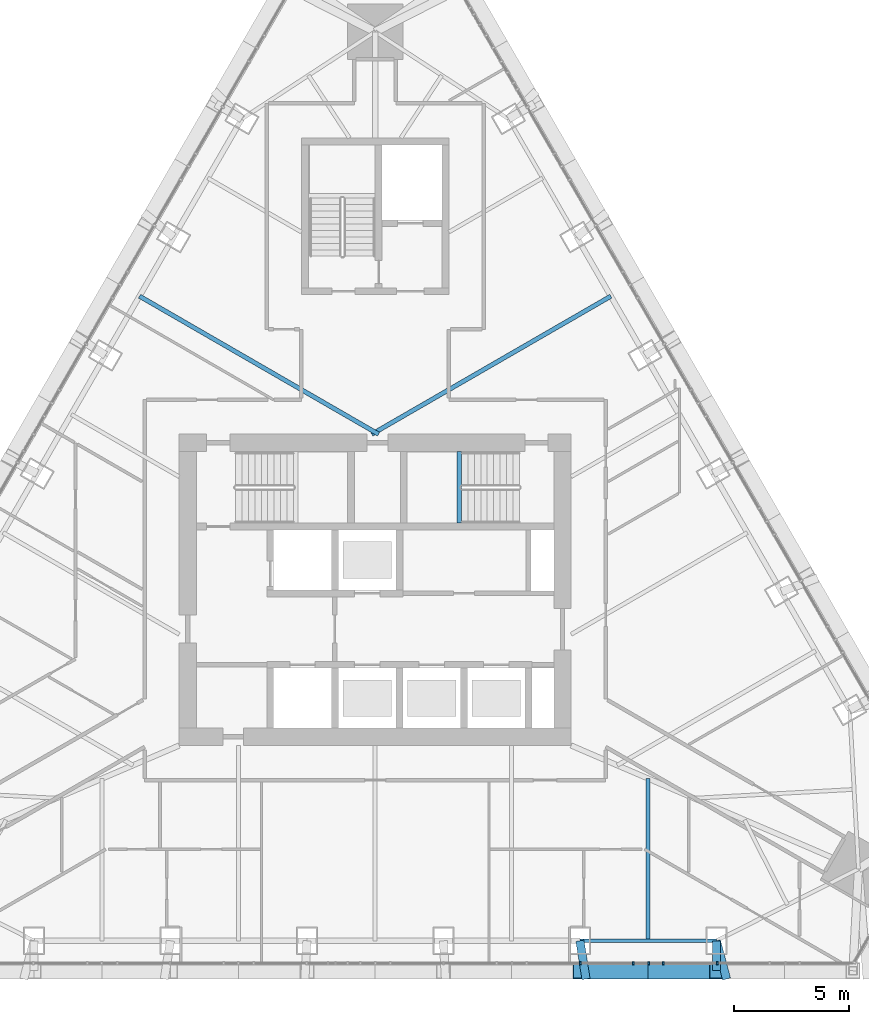
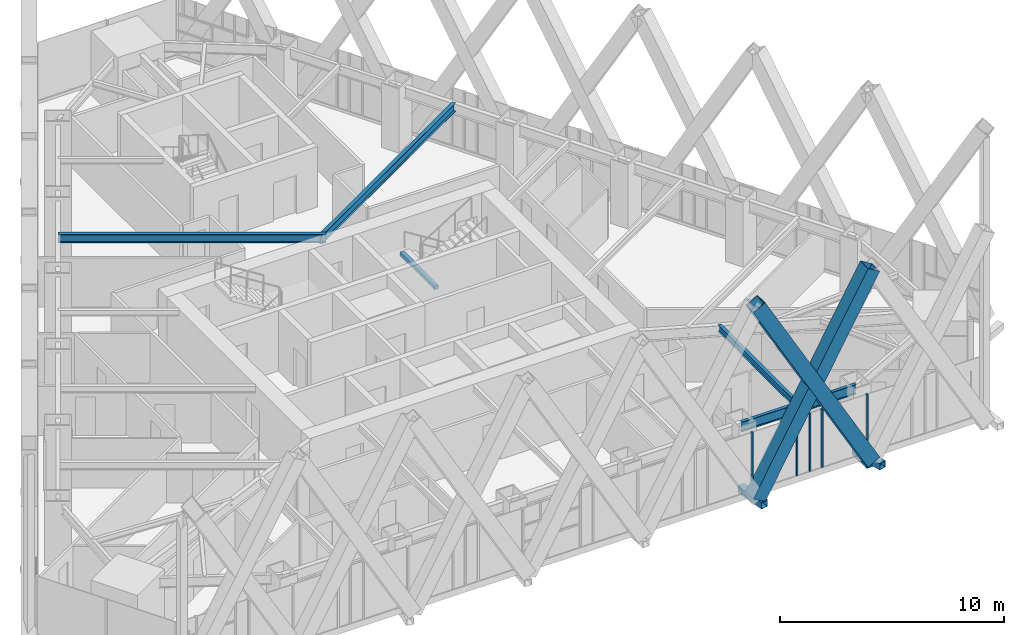
# One storey, part 6 of 23: 10 members, 5 beams, 1 element without a shape of its own.
"""IFC4 building model written with IfcOpenShell, lengths in metres."""

from ifc_helpers import new_model, si_unit, direction, frame, origin, origin_2d, place, context, subcontext, project, spatial, rectangle, hollow_rectangle, i_section, extrude, material, layer, layer_set, material_profile, profile_set, type_object, element, aggregate, save


model = new_model("IFC4")

# Units and contexts
model_context = context("Model", 3, precision=1e-05, world=origin(), true_north=direction((0.0, 1.0)))
body_context = subcontext(model_context, "Body", "Model", "MODEL_VIEW")
ifc_project = project(units=[si_unit("LENGTHUNIT", "METRE"), si_unit("AREAUNIT", "SQUARE_METRE"), si_unit("VOLUMEUNIT", "CUBIC_METRE"), si_unit("PLANEANGLEUNIT", "RADIAN"), si_unit("MASSUNIT", "GRAM", prefix="KILO")], contexts=[model_context])

# Site, building, storey
site_placement = place(None, origin())
site = spatial("IfcSite", under=ifc_project, at=site_placement, CompositionType="ELEMENT")
building_placement = place(site_placement, origin())
building = spatial("IfcBuilding", under=site, at=building_placement, Name="Firuza Gate Tower and Library", CompositionType="ELEMENT")
storey_placement = place(building_placement, frame((0.0, 0.0, 312.60009765625)))
storey = spatial("IfcBuildingStorey", under=building, at=storey_placement, Name="L76", CompositionType="ELEMENT", Elevation=312.60009765625)

# Members
ifc_material_1 = material(Name="Steel S355", Category="steel")
ifc_material_profile_1 = material_profile(ifc_material_1, hollow_rectangle(XDim=0.699951171875, YDim=0.699951171875, WallThickness=0.030029296875, at=origin_2d()))
ifc_profile_set_1 = profile_set([ifc_material_profile_1], Name="Steel S355")
member_type_1 = type_object("IfcMemberType", Name="BU700x700x30 Lattice brace", PredefinedType="BRACE", material=ifc_profile_set_1)
for number, where, z_axis, x_axis, name in (
    (1, (83.8798828125, 58.48046875, 0.0), (0.491137981379, 0.0, 0.871081789069), (0.0, 1.0, 0.0), "Lattice brace S 20.6R"),
    (2, (89.800048828125, 58.48046875, 0.0), (-0.491137981379, 0.0, 0.871081789069), (0.0, -1.0, 0.0), "Lattice brace S 20.6L"),
):
    element("IfcMember", number, at=place(storey_placement, frame(where, z_axis=z_axis, x_axis=x_axis)), inside=storey, type_object=member_type_1, Name=name, PredefinedType="BRACE", context=body_context, shape_type="SweptSolid", body=[
        extrude(hollow_rectangle(XDim=0.699951171875, YDim=0.699951171875, WallThickness=0.030029296875, at=origin_2d()), origin(), (0.0, 0.0, 1.0), 12.053955078125),
    ])

# Curtain wall, members
ifc_material_2 = material(Name="Aluminium 6063-T6", Category="aluminium")
ifc_layer = layer(ifc_material_2, 0.14990234375)
ifc_layer_set = layer_set([ifc_layer], Name="Unitised curtain wall, residences")
curtain_wall_type = type_object("IfcCurtainWallType", Name="Unitised curtain wall, residences", PredefinedType="NOTDEFINED", material=ifc_layer_set)
curtain_wall_placement = place(storey_placement, origin())
curtain_wall = element("IfcCurtainWall", 3, at=curtain_wall_placement, inside=storey, type_object=curtain_wall_type, Name="CW3 L76 S face", PredefinedType="NOTDEFINED")
ifc_material_3 = material(Name="Aluminium 6063-T6", Category="aluminium")
ifc_material_profile_2 = material_profile(ifc_material_3, rectangle(XDim=0.14990234375, YDim=0.080078125, at=origin_2d()))
ifc_profile_set_2 = profile_set([ifc_material_profile_2], Name="Aluminium 6063-T6")
member_type_2 = type_object("IfcMemberType", Name="Curtain wall mullion 80x150", PredefinedType="MULLION", material=ifc_profile_set_2)
member_1_placement = place(storey_placement, frame((83.8984375, 58.805419921875, 0.14990234375), z_axis=(0.0, 0.0, 1.0), x_axis=(0.0, 1.0, 0.0)))
member_1 = element("IfcMember", 4, at=member_1_placement, type_object=member_type_2, Name="Mullion", PredefinedType="MULLION", context=body_context, shape_type="SweptSolid", body=[
    extrude(rectangle(XDim=0.14990234375, YDim=0.080078125, at=origin_2d()), origin(), (0.0, 0.0, 1.0), 3.14990234375),
])
member_2_placement = place(storey_placement, frame((86.86474609375, 58.805419921875, 0.14990234375), z_axis=(0.0, 0.0, 1.0), x_axis=(0.0, 1.0, 0.0)))
member_2 = element("IfcMember", 5, at=member_2_placement, type_object=member_type_2, Name="Mullion", PredefinedType="MULLION", context=body_context, shape_type="SweptSolid", body=[
    extrude(rectangle(XDim=0.14990234375, YDim=0.080078125, at=origin_2d()), origin(), (0.0, 0.0, 1.0), 3.14990234375),
])
member_3_placement = place(storey_placement, frame((89.830810546875, 58.805419921875, 0.14990234375), z_axis=(0.0, 0.0, 1.0), x_axis=(0.0, 1.0, 0.0)))
member_3 = element("IfcMember", 6, at=member_3_placement, type_object=member_type_2, Name="Mullion", PredefinedType="MULLION", context=body_context, shape_type="SweptSolid", body=[
    extrude(rectangle(XDim=0.14990234375, YDim=0.080078125, at=origin_2d()), origin(), (0.0, 0.0, 1.0), 3.14990234375),
])
member_4_placement = place(storey_placement, frame((86.187255859375, 58.805419921875, 0.14990234375), z_axis=(0.0, 0.0, 1.0), x_axis=(0.0, 1.0, 0.0)))
member_4 = element("IfcMember", 7, at=member_4_placement, type_object=member_type_2, Name="Mullion", PredefinedType="MULLION", context=body_context, shape_type="SweptSolid", body=[
    extrude(rectangle(XDim=0.14990234375, YDim=0.080078125, at=origin_2d()), origin(), (0.0, 0.0, 1.0), 3.14990234375),
])
member_5_placement = place(storey_placement, frame((87.49267578125, 58.805419921875, 0.14990234375), z_axis=(0.0, 0.0, 1.0), x_axis=(0.0, 1.0, 0.0)))
member_5 = element("IfcMember", 8, at=member_5_placement, type_object=member_type_2, Name="Mullion", PredefinedType="MULLION", context=body_context, shape_type="SweptSolid", body=[
    extrude(rectangle(XDim=0.14990234375, YDim=0.080078125, at=origin_2d()), origin(), (0.0, 0.0, 1.0), 3.14990234375),
])
aggregate(curtain_wall, [member_1, member_2, member_3, member_4, member_5])

# Members
ifc_material_4 = material(Name="Steel S355", Category="steel")
ifc_material_profile_3 = material_profile(ifc_material_4, hollow_rectangle(XDim=0.355712890625, YDim=0.355712890625, WallThickness=0.014892578125, at=origin_2d()))
ifc_profile_set_3 = profile_set([ifc_material_profile_3], Name="Steel S355")
member_type_3 = type_object("IfcMemberType", Name="HSS356x356x16 Lattice node tie", PredefinedType="BRACE", material=ifc_profile_set_3)
member_6_placement = place(storey_placement, frame((83.8798828125, 59.7802734375, -0.320068359375), z_axis=(0.157570185735, -0.987507790636, 0.0), x_axis=(0.987507790636, 0.157570185735, 0.0)))
element("IfcMember", 9, at=member_6_placement, inside=storey, type_object=member_type_3, Name="Lattice node tie S L76 548", PredefinedType="BRACE", context=body_context, shape_type="SweptSolid", body=[
    extrude(hollow_rectangle(XDim=0.355712890625, YDim=0.355712890625, WallThickness=0.014892578125, at=origin_2d()), origin(), (0.0, 0.0, 1.0), 1.676513671875),
])
member_7_placement = place(storey_placement, frame((89.800048828125, 59.7802734375, -0.320068359375), z_axis=(0.25682869904, -0.966456941281, 0.0), x_axis=(0.966456941281, 0.25682869904, 0.0)))
element("IfcMember", 10, at=member_7_placement, inside=storey, type_object=member_type_3, Name="Lattice node tie S L76 549", PredefinedType="BRACE", context=body_context, shape_type="SweptSolid", body=[
    extrude(hollow_rectangle(XDim=0.355712890625, YDim=0.355712890625, WallThickness=0.014892578125, at=origin_2d()), origin(), (0.0, 0.0, 1.0), 1.712890625),
])
member_8_placement = place(storey_placement, frame((89.800048828125, 59.7802734375, -0.320068359375), z_axis=(0.0, -1.0, 0.0), x_axis=(1.0, 0.0, 0.0)))
element("IfcMember", 11, at=member_8_placement, inside=storey, type_object=member_type_3, Name="Lattice node tie S L76 550", PredefinedType="BRACE", context=body_context, shape_type="SweptSolid", body=[
    extrude(hollow_rectangle(XDim=0.355712890625, YDim=0.355712890625, WallThickness=0.014892578125, at=origin_2d()), origin(), (0.0, 0.0, 1.0), 1.2998046875),
])

# Beams
ifc_material_5 = material(Name="Concrete C35/45", Category="concrete")
ifc_material_profile_4 = material_profile(ifc_material_5, rectangle(XDim=0.199951171875, YDim=0.199951171875, at=origin_2d()))
ifc_profile_set_4 = profile_set([ifc_material_profile_4], Name="Concrete C35/45")
beam_type_1 = type_object("IfcBeamType", Name="Stair landing bearer 200x200", PredefinedType="BEAM", material=ifc_profile_set_4)
beam_1_placement = place(storey_placement, frame((78.639892578125, 81.0, 1.449951171875), z_axis=(0.0, -1.0, 0.0), x_axis=(1.0, 0.0, 0.0)))
element("IfcBeam", 12, at=beam_1_placement, inside=storey, type_object=beam_type_1, Name="Landing bearer L76 stair 2", PredefinedType="BEAM", context=body_context, shape_type="SweptSolid", body=[
    extrude(rectangle(XDim=0.199951171875, YDim=0.199951171875, at=origin_2d()), origin(), (0.0, 0.0, 1.0), 3.10009765625),
])
ifc_material_6 = material(Name="Steel S355", Category="steel")
ifc_material_profile_5 = material_profile(ifc_material_6, i_section(OverallWidth=0.1708984375, OverallDepth=0.35498046875, WebThickness=0.007080078125, FlangeThickness=0.01171875, at=origin_2d()))
ifc_profile_set_5 = profile_set([ifc_material_profile_5], Name="Steel S355")
beam_type_2 = type_object("IfcBeamType", Name="W360x51 Floor beam", PredefinedType="JOIST", material=ifc_profile_set_5)
beam_2_placement = place(storey_placement, frame((86.840087890625, 59.7802734375, 3.122314453125), z_axis=(0.0, 1.0, 0.0), x_axis=(-1.0, 0.0, 0.0)))
element("IfcBeam", 13, at=beam_2_placement, inside=storey, type_object=beam_type_2, Name="Floor beam L76 s24", PredefinedType="JOIST", context=body_context, shape_type="SweptSolid", body=[
    extrude(i_section(OverallWidth=0.1708984375, OverallDepth=0.35498046875, WebThickness=0.007080078125, FlangeThickness=0.01171875, at=origin_2d()), origin(), (0.0, 0.0, 1.0), 7.03515625),
])
ifc_material_7 = material(Name="Steel S355", Category="steel")
ifc_material_profile_6 = material_profile(ifc_material_7, i_section(OverallWidth=0.18994140625, OverallDepth=0.45703125, WebThickness=0.009033203125, FlangeThickness=0.014404296875, at=origin_2d()))
ifc_profile_set_6 = profile_set([ifc_material_profile_6], Name="Steel S355")
beam_type_3 = type_object("IfcBeamType", Name="W460x74 Floor beam", PredefinedType="JOIST", material=ifc_profile_set_6)
for number, where, z_axis, x_axis, name in (
    (14, (85.220458984375, 87.736572265625, 3.0712890625), (-0.866027351828, -0.499996625875, 0.0), (0.499996625875, -0.866027351828, 0.0), "Floor beam L76 s53"),
    (15, (64.779541015625, 87.736572265625, 3.0712890625), (0.866027351828, -0.499996625875, 0.0), (0.499996625875, 0.866027351828, 0.0), "Floor beam L76 s81"),
):
    element("IfcBeam", number, at=place(storey_placement, frame(where, z_axis=z_axis, x_axis=x_axis)), inside=storey, type_object=beam_type_3, Name=name, PredefinedType="JOIST", context=body_context, shape_type="SweptSolid", body=[
        extrude(i_section(OverallWidth=0.18994140625, OverallDepth=0.45703125, WebThickness=0.009033203125, FlangeThickness=0.014404296875, at=origin_2d()), origin(), (0.0, 0.0, 1.0), 11.97314453125),
    ])
ifc_material_8 = material(Name="Steel S355", Category="steel")
ifc_material_profile_7 = material_profile(ifc_material_8, i_section(OverallWidth=0.166015625, OverallDepth=0.534912109375, WebThickness=0.01025390625, FlangeThickness=0.0166015625, at=origin_2d()))
ifc_profile_set_7 = profile_set([ifc_material_profile_7], Name="Steel S355")
beam_type_4 = type_object("IfcBeamType", Name="W530x85 Edge beam", PredefinedType="SPANDREL", material=ifc_profile_set_7)
beam_3_placement = place(storey_placement, frame((83.8798828125, 59.7802734375, 3.032470703125), z_axis=(1.0, 0.0, 0.0), x_axis=(0.0, 1.0, 0.0)))
element("IfcBeam", 16, at=beam_3_placement, inside=storey, type_object=beam_type_4, Name="Edge beam L76 e24", PredefinedType="SPANDREL", context=body_context, shape_type="SweptSolid", body=[
    extrude(i_section(OverallWidth=0.166015625, OverallDepth=0.534912109375, WebThickness=0.01025390625, FlangeThickness=0.0166015625, at=origin_2d()), origin(), (0.0, 0.0, 1.0), 5.920166015625),
])

save(model, "model.ifc")
